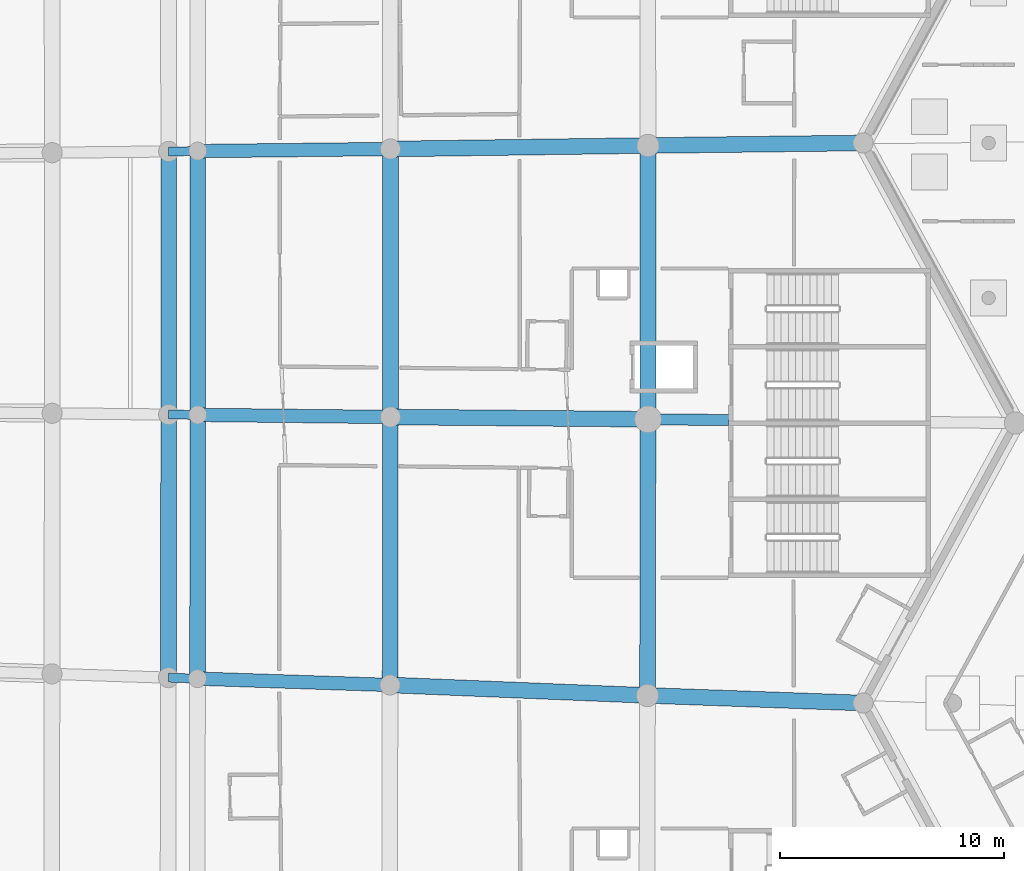
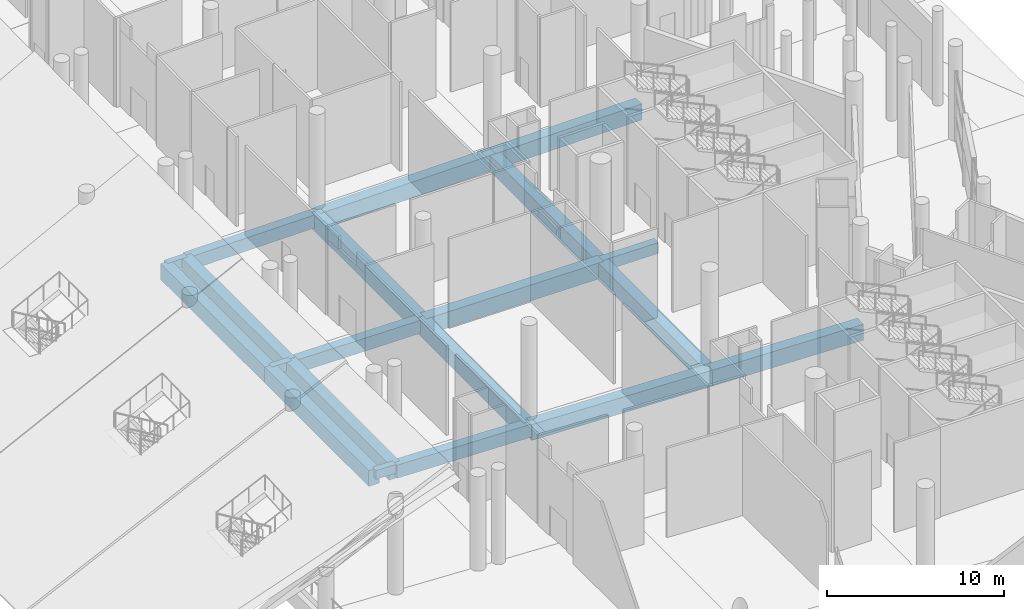
# One storey, part 40 of 255: 20 beams.
"""IFC4 building model written with IfcOpenShell, lengths in metres."""

from ifc_helpers import new_model, si_unit, direction, frame, origin, origin_2d, place, context, subcontext, project, spatial, rectangle, extrude, material, material_profile, profile_set, type_object, element, save


model = new_model("IFC4")

# Units and contexts
model_context = context("Model", 3, precision=1e-05, world=origin(), true_north=direction((0.0, 1.0)))
body_context = subcontext(model_context, "Body", "Model", "MODEL_VIEW")
ifc_project = project(units=[si_unit("LENGTHUNIT", "METRE"), si_unit("AREAUNIT", "SQUARE_METRE"), si_unit("VOLUMEUNIT", "CUBIC_METRE"), si_unit("PLANEANGLEUNIT", "RADIAN"), si_unit("MASSUNIT", "GRAM", prefix="KILO")], contexts=[model_context])

# Site, building, storey
site_placement = place(None, origin())
site = spatial("IfcSite", under=ifc_project, at=site_placement, CompositionType="ELEMENT")
building_placement = place(site_placement, origin())
building = spatial("IfcBuilding", under=site, at=building_placement, Name="Meseta Stadium", CompositionType="ELEMENT")
storey_placement = place(building_placement, origin())
storey = spatial("IfcBuildingStorey", under=building, at=storey_placement, Name="L00", CompositionType="ELEMENT", Elevation=0.0)

# Beams
ifc_material_1 = material(Name="Concrete C40/50", Category="concrete")
ifc_material_profile_1 = material_profile(ifc_material_1, rectangle(XDim=0.39990234375, YDim=0.60009765625, at=origin_2d()), Name="RC 400x600")
ifc_profile_set_1 = profile_set([ifc_material_profile_1], Name="Concrete C40/50")
beam_type_1 = type_object("IfcBeamType", Name="RC beam 400x600", PredefinedType="BEAM", material=ifc_profile_set_1)
for number, where, z_axis, x_axis, name in (
    (1, (63.587890625, -17.617919921875, -0.699951171875), (0.99945362659, -0.033052205614, 0.0), (0.033052205614, 0.99945362659, 0.0), "L00 radial beam frame 3 line C to D"),
    (2, (63.5986328125, -5.872802734375, -0.699951171875), (0.999940687241, -0.010891372744, 0.0), (0.010891372744, 0.999940687241, 0.0), "L00 radial beam frame 4 line C to D"),
    (3, (63.5986328125, 5.872802734375, -0.699951171875), (0.999940687241, 0.010891372744, 0.0), (-0.010891372744, 0.999940687241, 0.0), "L00 radial beam frame 5 line C to D"),
):
    element("IfcBeam", number, at=place(storey_placement, frame(where, z_axis=z_axis, x_axis=x_axis)), inside=storey, type_object=beam_type_1, Name=name, PredefinedType="BEAM", context=body_context, shape_type="SweptSolid", body=[
        extrude(rectangle(XDim=0.39990234375, YDim=0.60009765625, at=origin_2d()), origin(), (0.0, 0.0, 1.0), 1.300048828125),
    ])
ifc_material_2 = material(Name="Concrete C40/50", Category="concrete")
ifc_material_profile_2 = material_profile(ifc_material_2, rectangle(XDim=0.5, YDim=0.75, at=origin_2d()), Name="RC 500x750")
ifc_profile_set_2 = profile_set([ifc_material_profile_2], Name="Concrete C40/50")
beam_type_2 = type_object("IfcBeamType", Name="RC beam 500x750", PredefinedType="BEAM", material=ifc_profile_set_2)
beam_1_placement = place(storey_placement, frame((84.99755859375, -6.081298828125, -0.77490234375), z_axis=(0.999946950007, -0.010300348089, 0.0), x_axis=(0.010300348089, 0.999946950007, 0.0)))
element("IfcBeam", 4, at=beam_1_placement, inside=storey, type_object=beam_type_2, Name="L00 radial beam frame 4 line P to R", PredefinedType="BEAM", context=body_context, shape_type="SweptSolid", body=[
    extrude(rectangle(XDim=0.5, YDim=0.75, at=origin_2d()), origin(), (0.0, 0.0, 1.0), 3.602783203125),
])
ifc_material_3 = material(Name="Concrete C40/50", Category="concrete")
ifc_material_profile_3 = material_profile(ifc_material_3, rectangle(XDim=0.60009765625, YDim=0.89990234375, at=origin_2d()), Name="RC 600x900")
ifc_profile_set_3 = profile_set([ifc_material_profile_3], Name="Concrete C40/50")
beam_type_3 = type_object("IfcBeamType", Name="RC beam 600x900", PredefinedType="BEAM", material=ifc_profile_set_3)
for number, where, z_axis, x_axis, name in (
    (5, (64.88720703125, -17.660888671875, -0.85009765625), (0.999459492737, -0.032874342231, 0.0), (0.032874342231, 0.999459492737, 0.0), "L00 radial beam frame 3 line D to E"),
    (6, (64.898681640625, -5.886962890625, -0.85009765625), (0.999939958323, -0.010958090563, 0.0), (0.010958090563, 0.999939958323, 0.0), "L00 radial beam frame 4 line D to E"),
    (7, (64.898681640625, 5.886962890625, -0.85009765625), (0.999939958323, 0.010958090563, 0.0), (-0.010958090563, 0.999939958323, 0.0), "L00 radial beam frame 5 line D to E"),
):
    element("IfcBeam", number, at=place(storey_placement, frame(where, z_axis=z_axis, x_axis=x_axis)), inside=storey, type_object=beam_type_3, Name=name, PredefinedType="BEAM", context=body_context, shape_type="SweptSolid", body=[
        extrude(rectangle(XDim=0.60009765625, YDim=0.89990234375, at=origin_2d()), origin(), (0.0, 0.0, 1.0), 8.599853515625),
    ])
ifc_material_4 = material(Name="Concrete C40/50", Category="concrete")
ifc_material_profile_4 = material_profile(ifc_material_4, rectangle(XDim=0.699951171875, YDim=1.10009765625, at=origin_2d()), Name="RC 700x1100")
ifc_profile_set_4 = profile_set([ifc_material_profile_4], Name="Concrete C40/50")
beam_type_4 = type_object("IfcBeamType", Name="RC beam 700x1100", PredefinedType="BEAM", material=ifc_profile_set_4)
beam_2_placement = place(storey_placement, frame((63.587890625, -17.617919921875, -0.949951171875), z_axis=(0.000914608414, 0.999999581746, 0.0), x_axis=(-0.999999581746, 0.000914608414, 0.0)))
element("IfcBeam", 8, at=beam_2_placement, inside=storey, type_object=beam_type_4, Name="L00 ring beam frame 3 line C", PredefinedType="BEAM", context=body_context, shape_type="SweptSolid", body=[
    extrude(rectangle(XDim=0.699951171875, YDim=1.10009765625, at=origin_2d()), origin(), (0.0, 0.0, 1.0), 11.7451171875),
])
beam_3_placement = place(storey_placement, frame((64.88720703125, -17.660888671875, -0.949951171875), z_axis=(0.000974577566, 0.999999525099, 0.0), x_axis=(-0.999999525099, 0.000974577566, 0.0)))
element("IfcBeam", 9, at=beam_3_placement, inside=storey, type_object=beam_type_4, Name="L00 ring beam frame 3 line D", PredefinedType="BEAM", context=body_context, shape_type="SweptSolid", body=[
    extrude(rectangle(XDim=0.699951171875, YDim=1.10009765625, at=origin_2d()), origin(), (0.0, 0.0, 1.0), 11.77392578125),
])
beam_4_placement = place(storey_placement, frame((73.482421875, -17.943603515625, -0.949951171875), z_axis=(0.001306174648, 0.999999146954, 0.0), x_axis=(-0.999999146954, 0.001306174648, 0.0)))
element("IfcBeam", 10, at=beam_4_placement, inside=storey, type_object=beam_type_4, Name="L00 ring beam frame 3 line E", PredefinedType="BEAM", context=body_context, shape_type="SweptSolid", body=[
    extrude(rectangle(XDim=0.699951171875, YDim=1.10009765625, at=origin_2d()), origin(), (0.0, 0.0, 1.0), 11.96240234375),
])
beam_5_placement = place(storey_placement, frame((84.97314453125, -18.41064453125, -0.949951171875), z_axis=(0.001980154927, 0.999998039491, 0.0), x_axis=(-0.999998039491, 0.001980154927, 0.0)))
element("IfcBeam", 11, at=beam_5_placement, inside=storey, type_object=beam_type_4, Name="L00 ring beam frame 3 line P", PredefinedType="BEAM", context=body_context, shape_type="SweptSolid", body=[
    extrude(rectangle(XDim=0.699951171875, YDim=1.10009765625, at=origin_2d()), origin(), (0.0, 0.0, 1.0), 12.329345703125),
])
beam_6_placement = place(storey_placement, frame((63.5986328125, -5.872802734375, -0.949951171875), z_axis=(0.0, 1.0, 0.0), x_axis=(-1.0, 0.0, 0.0)))
element("IfcBeam", 12, at=beam_6_placement, inside=storey, type_object=beam_type_4, Name="L00 ring beam frame 4 line C", PredefinedType="BEAM", context=body_context, shape_type="SweptSolid", body=[
    extrude(rectangle(XDim=0.699951171875, YDim=1.10009765625, at=origin_2d()), origin(), (0.0, 0.0, 1.0), 11.74560546875),
])
beam_7_placement = place(storey_placement, frame((64.898681640625, -5.886962890625, -0.949951171875), z_axis=(0.0, 1.0, 0.0), x_axis=(-1.0, 0.0, 0.0)))
element("IfcBeam", 13, at=beam_7_placement, inside=storey, type_object=beam_type_4, Name="L00 ring beam frame 4 line D", PredefinedType="BEAM", context=body_context, shape_type="SweptSolid", body=[
    extrude(rectangle(XDim=0.699951171875, YDim=1.10009765625, at=origin_2d()), origin(), (0.0, 0.0, 1.0), 11.77392578125),
])
beam_8_placement = place(storey_placement, frame((73.498046875, -5.981201171875, -0.949951171875), z_axis=(0.0, 1.0, 0.0), x_axis=(-1.0, 0.0, 0.0)))
element("IfcBeam", 14, at=beam_8_placement, inside=storey, type_object=beam_type_4, Name="L00 ring beam frame 4 line E", PredefinedType="BEAM", context=body_context, shape_type="SweptSolid", body=[
    extrude(rectangle(XDim=0.699951171875, YDim=1.10009765625, at=origin_2d()), origin(), (0.0, 0.0, 1.0), 11.96240234375),
])
beam_9_placement = place(storey_placement, frame((84.99755859375, -6.081298828125, -0.949951171875), z_axis=(-3.9962435e-05, 0.999999999202, 0.0), x_axis=(-0.999999999202, -3.9962435e-05, 0.0)))
element("IfcBeam", 15, at=beam_9_placement, inside=storey, type_object=beam_type_4, Name="L00 ring beam frame 4 line P", PredefinedType="BEAM", context=body_context, shape_type="SweptSolid", body=[
    extrude(rectangle(XDim=0.699951171875, YDim=1.10009765625, at=origin_2d()), origin(), (0.0, 0.0, 1.0), 12.218505859375),
])
beam_10_placement = place(storey_placement, frame((73.482421875, -17.943603515625, -0.949951171875), z_axis=(0.999175011921, -0.040611519947, 0.0), x_axis=(0.040611519947, 0.999175011921, 0.0)))
element("IfcBeam", 16, at=beam_10_placement, inside=storey, type_object=beam_type_4, Name="L00 radial beam frame 3 line E to P", PredefinedType="BEAM", context=body_context, shape_type="SweptSolid", body=[
    extrude(rectangle(XDim=0.699951171875, YDim=1.10009765625, at=origin_2d()), origin(), (0.0, 0.0, 1.0), 11.500244140625),
])
beam_11_placement = place(storey_placement, frame((84.97314453125, -18.41064453125, -0.949951171875), z_axis=(0.999379277506, -0.035228677108, 0.0), x_axis=(0.035228677108, 0.999379277506, 0.0)))
element("IfcBeam", 17, at=beam_11_placement, inside=storey, type_object=beam_type_4, Name="L00 radial beam frame 3 line P to R", PredefinedType="BEAM", context=body_context, shape_type="SweptSolid", body=[
    extrude(rectangle(XDim=0.699951171875, YDim=1.10009765625, at=origin_2d()), origin(), (0.0, 0.0, 1.0), 9.6328125),
])
for number, where, z_axis, x_axis, name in (
    (18, (73.498046875, -5.981201171875, -0.949951171875), (0.999962117874, -0.008704183863, 0.0), (0.008704183863, 0.999962117874, 0.0), "L00 radial beam frame 4 line E to P"),
    (19, (73.498046875, 5.981201171875, -0.949951171875), (0.9999079826, 0.013565630592, 0.0), (-0.013565630592, 0.9999079826, 0.0), "L00 radial beam frame 5 line E to P"),
):
    element("IfcBeam", number, at=place(storey_placement, frame(where, z_axis=z_axis, x_axis=x_axis)), inside=storey, type_object=beam_type_4, Name=name, PredefinedType="BEAM", context=body_context, shape_type="SweptSolid", body=[
        extrude(rectangle(XDim=0.699951171875, YDim=1.10009765625, at=origin_2d()), origin(), (0.0, 0.0, 1.0), 11.5),
    ])
beam_12_placement = place(storey_placement, frame((84.9970703125, 6.13720703125, -0.949951171875), z_axis=(0.999931028004, 0.01174475352, 0.0), x_axis=(-0.01174475352, 0.999931028004, 0.0)))
element("IfcBeam", 20, at=beam_12_placement, inside=storey, type_object=beam_type_4, Name="L00 radial beam frame 5 line P to R", PredefinedType="BEAM", context=body_context, shape_type="SweptSolid", body=[
    extrude(rectangle(XDim=0.699951171875, YDim=1.10009765625, at=origin_2d()), origin(), (0.0, 0.0, 1.0), 9.603759765625),
])

save(model, "model.ifc")
